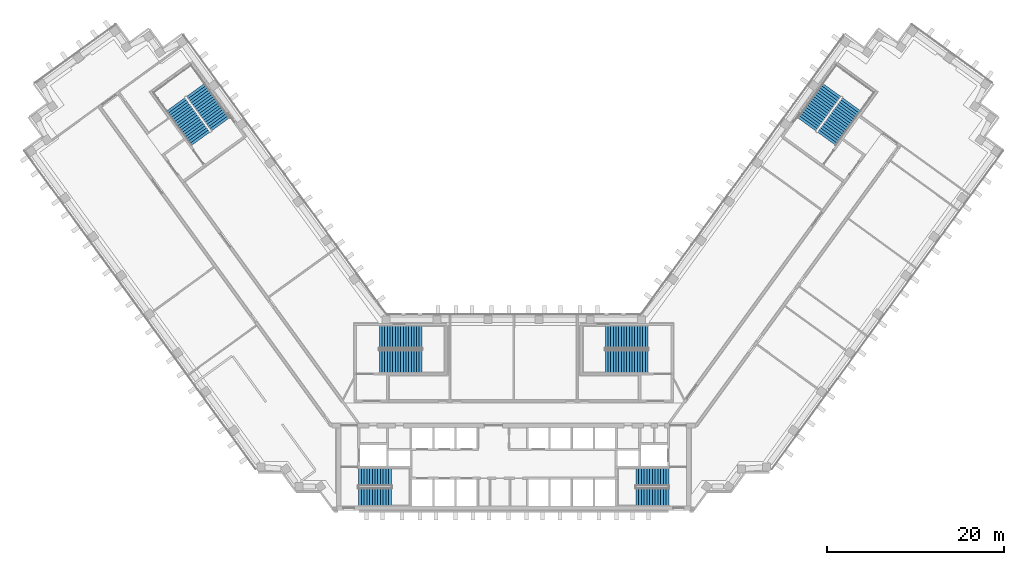
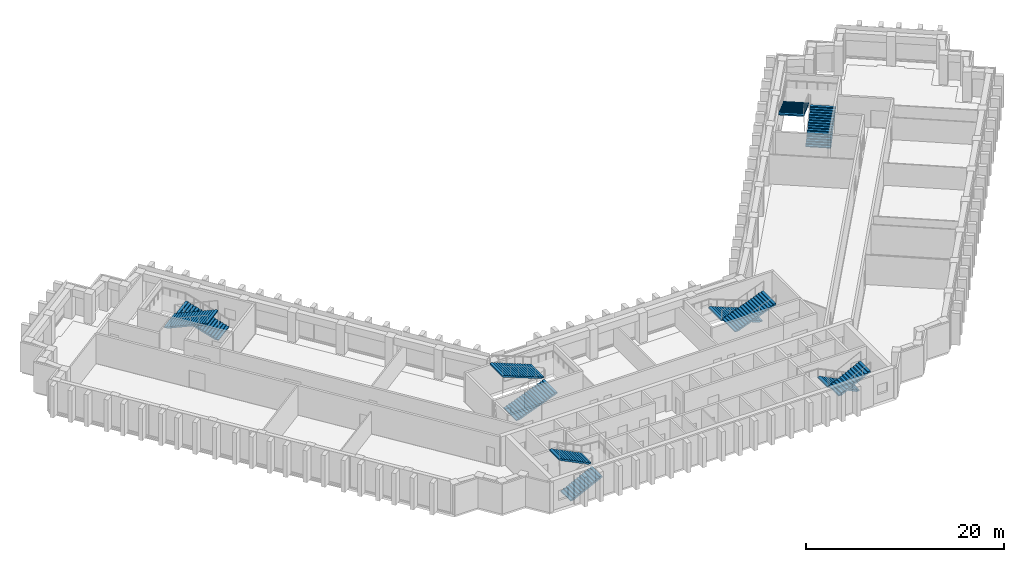
# One storey, part 10 of 13: 12 stair flights, 6 elements without a shape of their own.
"""IFC4 building model written with IfcOpenShell, lengths in metres."""

import ifcopenshell
import ifcopenshell.guid

model = None  # the IFC model being written
_history = None  # IfcOwnerHistory: only IFC2X3 demands one
_inside = {}  # id of a spatial element -> (the spatial element, [elements in it])
_under = {}  # id of a project, library or spatial element -> (it, [spatial elements below it])
_declared = {}  # id of a project -> (the project, [libraries it declares])
_typed = {}  # id of a type object -> (the type object, [elements of that type])
_made_of = {}  # id of a material, layer set ... -> (it, [elements and type objects made of it])


def new_model(schema):
    """Start an empty IFC model of exactly this schema.

    Asked for "IFC4X3", IfcOpenShell would pick the latest addendum, in which some entities
    have other attributes; the version numbers below select the first issue.
    IFC2X3 requires an IfcOwnerHistory on every rooted entity: one is made here for all.
    """
    global model, _history
    if schema == "IFC4X3":
        model = ifcopenshell.file(schema_version=(4, 3, 0, 0))
    else:
        model = ifcopenshell.file(schema=schema)
    _inside.clear()
    _under.clear()
    _declared.clear()
    _typed.clear()
    _made_of.clear()
    _history = None
    if model.schema == "IFC2X3":
        org = make("IfcOrganization", Name="unknown")
        user = make(
            "IfcPersonAndOrganization",
            ThePerson=make("IfcPerson", FamilyName="unknown"),
            TheOrganization=org,
        )
        app = make(
            "IfcApplication",
            ApplicationDeveloper=org,
            Version="unknown",
            ApplicationFullName="unknown",
            ApplicationIdentifier="unknown",
        )
        _history = make(
            "IfcOwnerHistory",
            OwningUser=user,
            OwningApplication=app,
            ChangeAction="ADDED",
            CreationDate=0,
        )
    return model


def make(cls, **values):
    """One entity of the class cls with the attributes given. An attribute that is None is left unset."""
    return model.create_entity(
        cls, **{name: value for name, value in values.items() if value is not None}
    )


def rooted(cls, **values):
    """An entity with a GlobalId (a new one), such as an element, a storey or a relation."""
    return make(cls, GlobalId=ifcopenshell.guid.new(), OwnerHistory=_history, **values)


def si_unit(unit_type, name, prefix=None):
    """IfcSIUnit, for example si_unit("LENGTHUNIT", "METRE", prefix="MILLI")."""
    return make("IfcSIUnit", UnitType=unit_type, Prefix=prefix, Name=name)


def assignment(units):
    """IfcUnitAssignment: the units of a project."""
    return None if units is None else make("IfcUnitAssignment", Units=units)


def point(xyz):
    """IfcCartesianPoint."""
    return None if xyz is None else make("IfcCartesianPoint", Coordinates=xyz)


def direction(xyz):
    """IfcDirection."""
    return None if xyz is None else make("IfcDirection", DirectionRatios=xyz)


def frame(location, z_axis=None, x_axis=None):
    """IfcAxis2Placement3D, a coordinate frame: its origin and axes. An axis left out is left unset."""
    return make(
        "IfcAxis2Placement3D",
        Location=point(location),
        Axis=direction(z_axis),
        RefDirection=direction(x_axis),
    )


def origin():
    """The frame at (0, 0, 0) with its axes left unset."""
    return frame((0.0, 0.0, 0.0))


def place(relative_to, where):
    """IfcLocalPlacement: puts the frame where relative to a parent placement (None: the world)."""
    return make(
        "IfcLocalPlacement", PlacementRelTo=relative_to, RelativePlacement=where
    )


def context(
    kind, dimensions, precision=None, world=None, true_north=None, identifier=None
):
    """IfcGeometricRepresentationContext, for example the 3D "Model" context."""
    return make(
        "IfcGeometricRepresentationContext",
        ContextIdentifier=identifier,
        ContextType=kind,
        CoordinateSpaceDimension=dimensions,
        Precision=precision,
        WorldCoordinateSystem=world,
        TrueNorth=true_north,
    )


def subcontext(parent, identifier, kind, view, scale=None):
    """IfcGeometricRepresentationSubContext, for example "Body" below "Model"."""
    return make(
        "IfcGeometricRepresentationSubContext",
        ContextIdentifier=identifier,
        ContextType=kind,
        ParentContext=parent,
        TargetScale=scale,
        TargetView=view,
    )


def project(units=None, contexts=None):
    """IfcProject with its units and contexts."""
    return rooted(
        "IfcProject",
        Name="project",
        RepresentationContexts=contexts,
        UnitsInContext=assignment(units),
    )


def spatial(cls, under=None, at=None, **own):
    """A site, building, storey or space (cls), placed at a placement, below another one or the project."""
    s = rooted(cls, ObjectPlacement=at, **own)
    if under is not None:
        _under.setdefault(under.id(), (under, []))[1].append(s)
    return s


def polyline(points):
    """IfcPolyline through the points."""
    return make("IfcPolyline", Points=[point(p) for p in points])


def outline(outer, holes=None, kind="AREA"):
    """IfcArbitraryClosedProfileDef: a profile drawn as a closed curve; with holes, ...WithVoids."""
    if holes is None:
        return make("IfcArbitraryClosedProfileDef", ProfileType=kind, OuterCurve=outer)
    return make(
        "IfcArbitraryProfileDefWithVoids",
        ProfileType=kind,
        OuterCurve=outer,
        InnerCurves=holes,
    )


def extrude(swept, where, along, depth):
    """IfcExtrudedAreaSolid: the profile swept, set in the frame where, extruded along a direction by depth."""
    return make(
        "IfcExtrudedAreaSolid",
        SweptArea=swept,
        Position=where,
        ExtrudedDirection=direction(along),
        Depth=depth,
    )


def shape(context_of_items, identifier, shape_type, items):
    """IfcShapeRepresentation: the items that make up one representation, for example the "Body"."""
    return make(
        "IfcShapeRepresentation",
        ContextOfItems=context_of_items,
        RepresentationIdentifier=identifier,
        RepresentationType=shape_type,
        Items=items,
    )


def material(Name=None, Category=None):
    """IfcMaterial."""
    return make("IfcMaterial", Name=Name, Category=Category)


def made_of(thing, what):
    """Note that an element or type object is made of a material, layer set ...; save() writes the relation."""
    if what is not None:
        _made_of.setdefault(what.id(), (what, []))[1].append(thing)
    return thing


def type_object(cls, material=None, **own):
    """A type object (cls), such as IfcWallType, which elements share."""
    return made_of(rooted(cls, **own), material)


def element(
    cls,
    number,
    at=None,
    inside=None,
    cuts=None,
    type_object=None,
    material=None,
    context=None,
    identifier="Body",
    shape_type=None,
    held_by="IfcProductDefinitionShape",
    body=None,
    shapes=None,
    **own,
):
    """One element of the class cls, such as IfcWall. Its Tag is "e" and its number.

    at: its placement. inside: the storey or other place that contains it. cuts: it is an
    opening in that element (IfcRelVoidsElement). A single representation is given by context,
    identifier, shape_type and body (its items); several are given by shapes. held_by: the class
    of the entity that holds the representations. save() writes the other relations.
    """
    e = rooted(cls, Tag="e%d" % number, ObjectPlacement=at, **own)
    if body is not None:
        shapes = [shape(context, identifier, shape_type, body)]
    if shapes is not None:
        e.Representation = make(held_by, Representations=shapes)
    if inside is not None:
        _inside.setdefault(inside.id(), (inside, []))[1].append(e)
    if cuts is not None:
        rooted(
            "IfcRelVoidsElement", RelatingBuildingElement=cuts, RelatedOpeningElement=e
        )
    if type_object is not None:
        _typed.setdefault(type_object.id(), (type_object, []))[1].append(e)
    return made_of(e, material)


def aggregate(whole, parts):
    """IfcRelAggregates: a whole, such as a stair, and the parts it consists of."""
    return rooted("IfcRelAggregates", RelatingObject=whole, RelatedObjects=parts)


def save(model, path):
    """Write the relations noted so far, then the file.

    IfcRelAggregates (storeys below a building ...), IfcRelContainedInSpatialStructure (elements
    in a storey), IfcRelDefinesByType, IfcRelAssociatesMaterial and IfcRelDeclares: one each for
    every whole, place, type object, material and project.
    """
    for whole, parts in _under.values():
        aggregate(whole, parts)
    for where, things in _inside.values():
        rooted(
            "IfcRelContainedInSpatialStructure",
            RelatedElements=things,
            RelatingStructure=where,
        )
    for kind, things in _typed.values():
        rooted("IfcRelDefinesByType", RelatedObjects=things, RelatingType=kind)
    for what, things in _made_of.values():
        rooted("IfcRelAssociatesMaterial", RelatedObjects=things, RelatingMaterial=what)
    for by, libraries in _declared.values():
        rooted("IfcRelDeclares", RelatingContext=by, RelatedDefinitions=libraries)
    model.write(path)


model = new_model("IFC4")

# Units and contexts
model_context = context("Model", 3, precision=1e-05, world=origin(), true_north=direction((0.0, 1.0)))
body_context = subcontext(model_context, "Body", "Model", "MODEL_VIEW")
ifc_project = project(units=[si_unit("LENGTHUNIT", "METRE"), si_unit("AREAUNIT", "SQUARE_METRE"), si_unit("VOLUMEUNIT", "CUBIC_METRE"), si_unit("PLANEANGLEUNIT", "RADIAN"), si_unit("MASSUNIT", "GRAM", prefix="KILO")], contexts=[model_context])

# Site, building, storey
site_placement = place(None, origin())
site = spatial("IfcSite", under=ifc_project, at=site_placement, CompositionType="ELEMENT")
building_placement = place(site_placement, origin())
building = spatial("IfcBuilding", under=site, at=building_placement, Name="Quipu Civic Tower", CompositionType="ELEMENT")
storey_placement = place(building_placement, frame((0.0, 0.0, 67.0)))
storey = spatial("IfcBuildingStorey", under=building, at=storey_placement, Name="L15", CompositionType="ELEMENT", Elevation=67.0)

# Stair, stair flights
ifc_material_1 = material(Name="Concrete C40/50", Category="concrete")
stair_type_1 = type_object("IfcStairType", Name="Half turn stair 2000", PredefinedType="HALF_TURN_STAIR", material=ifc_material_1)
stair_1_placement = place(storey_placement, origin())
stair_1 = element("IfcStair", 1, at=stair_1_placement, inside=storey, type_object=stair_type_1, Name="Exit stair 1", PredefinedType="HALF_TURN_STAIR")
ifc_material_2 = material(Name="Concrete C40/50", Category="concrete")
stair_flight_type_1 = type_object("IfcStairFlightType", Name="Stair flight 2000", PredefinedType="STRAIGHT", material=ifc_material_2)
stair_flight_1_placement = place(storey_placement, frame((-17.5, -9.5, 0.0), z_axis=(0.0, 0.0, 1.0), x_axis=(1.0, 0.0, 0.0)))
stair_flight_1 = element("IfcStairFlight", 2, at=stair_flight_1_placement, type_object=stair_flight_type_1, Name="ST-1 flight 1", NumberOfRisers=13, NumberOfTreads=12, PredefinedType="STRAIGHT", RiserHeight=0.153846154, TreadLength=0.31, context=body_context, shape_type="SweptSolid", body=[
    extrude(outline(polyline([(0.0, 0.0), (0.0, 0.15380859375), (0.31005859375, 0.15380859375), (0.31005859375, 0.3076171875), (0.6201171875, 0.3076171875), (0.6201171875, 0.46142578125), (0.929931640625, 0.46142578125), (0.929931640625, 0.615478515625), (1.239990234375, 0.615478515625), (1.239990234375, 0.769287109375), (1.550048828125, 0.769287109375), (1.550048828125, 0.923095703125), (1.860107421875, 0.923095703125), (1.860107421875, 1.076904296875), (2.169921875, 1.076904296875), (2.169921875, 1.230712890625), (2.47998046875, 1.230712890625), (2.47998046875, 1.384521484375), (2.7900390625, 1.384521484375), (2.7900390625, 1.53857421875), (3.10009765625, 1.53857421875), (3.10009765625, 1.6923828125), (3.409912109375, 1.6923828125), (3.409912109375, 1.84619140625), (3.719970703125, 1.84619140625), (3.719970703125, 2.0), (3.719970703125, 1.6787109375), (0.337158203125, 0.0), (0.0, 0.0)])), frame((0.0, 1.0, 0.0), z_axis=(0.0, -1.0, 0.0), x_axis=(1.0, 0.0, 0.0)), (0.0, 0.0, 1.0), 2.0),
])
stair_flight_2_placement = place(storey_placement, frame((-13.780029296875, -7.25, 2.0), z_axis=(0.0, 0.0, 1.0), x_axis=(-1.0, 0.0, 0.0)))
stair_flight_2 = element("IfcStairFlight", 3, at=stair_flight_2_placement, type_object=stair_flight_type_1, Name="ST-1 flight 2", NumberOfRisers=13, NumberOfTreads=12, PredefinedType="STRAIGHT", RiserHeight=0.153846154, TreadLength=0.31, context=body_context, shape_type="SweptSolid", body=[
    extrude(outline(polyline([(0.0, 0.0), (0.0, 0.15380859375), (0.31005859375, 0.15380859375), (0.31005859375, 0.3076171875), (0.6201171875, 0.3076171875), (0.6201171875, 0.46142578125), (0.929931640625, 0.46142578125), (0.929931640625, 0.615478515625), (1.239990234375, 0.615478515625), (1.239990234375, 0.769287109375), (1.550048828125, 0.769287109375), (1.550048828125, 0.923095703125), (1.860107421875, 0.923095703125), (1.860107421875, 1.076904296875), (2.169921875, 1.076904296875), (2.169921875, 1.230712890625), (2.47998046875, 1.230712890625), (2.47998046875, 1.384521484375), (2.7900390625, 1.384521484375), (2.7900390625, 1.53857421875), (3.10009765625, 1.53857421875), (3.10009765625, 1.6923828125), (3.409912109375, 1.6923828125), (3.409912109375, 1.84619140625), (3.719970703125, 1.84619140625), (3.719970703125, 2.0), (3.719970703125, 1.6787109375), (0.337158203125, 0.0), (0.0, 0.0)])), frame((0.0, 1.0, 0.0), z_axis=(0.0, -1.0, 0.0), x_axis=(1.0, 0.0, 0.0)), (0.0, 0.0, 1.0), 2.0),
])
aggregate(stair_1, [stair_flight_1, stair_flight_2])

stair_2_placement = place(storey_placement, origin())
stair_2 = element("IfcStair", 4, at=stair_2_placement, inside=storey, type_object=stair_type_1, Name="Exit stair 2", PredefinedType="HALF_TURN_STAIR")
stair_flight_3_placement = place(storey_placement, frame((17.5, -7.25, 0.0), z_axis=(0.0, 0.0, 1.0), x_axis=(-1.0, 0.0, 0.0)))
stair_flight_3 = element("IfcStairFlight", 5, at=stair_flight_3_placement, type_object=stair_flight_type_1, Name="ST-2 flight 1", NumberOfRisers=13, NumberOfTreads=12, PredefinedType="STRAIGHT", RiserHeight=0.153846154, TreadLength=0.31, context=body_context, shape_type="SweptSolid", body=[
    extrude(outline(polyline([(0.0, 0.0), (0.0, 0.15380859375), (0.31005859375, 0.15380859375), (0.31005859375, 0.3076171875), (0.6201171875, 0.3076171875), (0.6201171875, 0.46142578125), (0.929931640625, 0.46142578125), (0.929931640625, 0.615478515625), (1.239990234375, 0.615478515625), (1.239990234375, 0.769287109375), (1.550048828125, 0.769287109375), (1.550048828125, 0.923095703125), (1.860107421875, 0.923095703125), (1.860107421875, 1.076904296875), (2.169921875, 1.076904296875), (2.169921875, 1.230712890625), (2.47998046875, 1.230712890625), (2.47998046875, 1.384521484375), (2.7900390625, 1.384521484375), (2.7900390625, 1.53857421875), (3.10009765625, 1.53857421875), (3.10009765625, 1.6923828125), (3.409912109375, 1.6923828125), (3.409912109375, 1.84619140625), (3.719970703125, 1.84619140625), (3.719970703125, 2.0), (3.719970703125, 1.6787109375), (0.337158203125, 0.0), (0.0, 0.0)])), frame((0.0, 1.0, 0.0), z_axis=(0.0, -1.0, 0.0), x_axis=(1.0, 0.0, 0.0)), (0.0, 0.0, 1.0), 2.0),
])
stair_flight_4_placement = place(storey_placement, frame((13.780029296875, -9.5, 2.0), z_axis=(0.0, 0.0, 1.0), x_axis=(1.0, 0.0, 0.0)))
stair_flight_4 = element("IfcStairFlight", 6, at=stair_flight_4_placement, type_object=stair_flight_type_1, Name="ST-2 flight 2", NumberOfRisers=13, NumberOfTreads=12, PredefinedType="STRAIGHT", RiserHeight=0.153846154, TreadLength=0.31, context=body_context, shape_type="SweptSolid", body=[
    extrude(outline(polyline([(0.0, 0.0), (0.0, 0.15380859375), (0.31005859375, 0.15380859375), (0.31005859375, 0.3076171875), (0.6201171875, 0.3076171875), (0.6201171875, 0.46142578125), (0.929931640625, 0.46142578125), (0.929931640625, 0.615478515625), (1.239990234375, 0.615478515625), (1.239990234375, 0.769287109375), (1.550048828125, 0.769287109375), (1.550048828125, 0.923095703125), (1.860107421875, 0.923095703125), (1.860107421875, 1.076904296875), (2.169921875, 1.076904296875), (2.169921875, 1.230712890625), (2.47998046875, 1.230712890625), (2.47998046875, 1.384521484375), (2.7900390625, 1.384521484375), (2.7900390625, 1.53857421875), (3.10009765625, 1.53857421875), (3.10009765625, 1.6923828125), (3.409912109375, 1.6923828125), (3.409912109375, 1.84619140625), (3.719970703125, 1.84619140625), (3.719970703125, 2.0), (3.719970703125, 1.6787109375), (0.337158203125, 0.0), (0.0, 0.0)])), frame((0.0, 1.0, 0.0), z_axis=(0.0, -1.0, 0.0), x_axis=(1.0, 0.0, 0.0)), (0.0, 0.0, 1.0), 2.0),
])
aggregate(stair_2, [stair_flight_3, stair_flight_4])

ifc_material_3 = material(Name="Concrete C40/50", Category="concrete")
stair_type_2 = type_object("IfcStairType", Name="Half turn stair 2600", PredefinedType="HALF_TURN_STAIR", material=ifc_material_3)
stair_3_placement = place(storey_placement, origin())
stair_3 = element("IfcStair", 7, at=stair_3_placement, inside=storey, type_object=stair_type_2, Name="Exit stair 3", PredefinedType="HALF_TURN_STAIR")
ifc_material_4 = material(Name="Concrete C40/50", Category="concrete")
stair_flight_type_2 = type_object("IfcStairFlightType", Name="Stair flight 2600", PredefinedType="STRAIGHT", material=ifc_material_4)
stair_flight_5_placement = place(storey_placement, frame((-15.14990234375, 5.800048828125, 0.0), z_axis=(0.0, 0.0, 1.0), x_axis=(1.0, 0.0, 0.0)))
stair_flight_5 = element("IfcStairFlight", 8, at=stair_flight_5_placement, type_object=stair_flight_type_2, Name="ST-3 flight 1", NumberOfRisers=17, NumberOfTreads=16, PredefinedType="STRAIGHT", RiserHeight=0.117647059, TreadLength=0.3, context=body_context, shape_type="SweptSolid", body=[
    extrude(outline(polyline([(0.0, 0.0), (0.0, 0.11767578125), (0.300048828125, 0.11767578125), (0.300048828125, 0.2353515625), (0.60009765625, 0.2353515625), (0.60009765625, 0.35302734375), (0.89990234375, 0.35302734375), (0.89990234375, 0.470703125), (1.199951171875, 0.470703125), (1.199951171875, 0.588134765625), (1.5, 0.588134765625), (1.5, 0.705810546875), (1.800048828125, 0.705810546875), (1.800048828125, 0.823486328125), (2.10009765625, 0.823486328125), (2.10009765625, 0.941162109375), (2.39990234375, 0.941162109375), (2.39990234375, 1.058837890625), (2.699951171875, 1.058837890625), (2.699951171875, 1.176513671875), (3.0, 1.176513671875), (3.0, 1.294189453125), (3.300048828125, 1.294189453125), (3.300048828125, 1.411865234375), (3.60009765625, 1.411865234375), (3.60009765625, 1.529296875), (3.89990234375, 1.529296875), (3.89990234375, 1.64697265625), (4.199951171875, 1.64697265625), (4.199951171875, 1.7646484375), (4.5, 1.7646484375), (4.5, 1.88232421875), (4.800048828125, 1.88232421875), (4.800048828125, 2.0), (4.800048828125, 1.721435546875), (0.41064453125, 0.0), (0.0, 0.0)])), frame((0.0, 1.300048828125, 0.0), z_axis=(0.0, -1.0, 0.0), x_axis=(1.0, 0.0, 0.0)), (0.0, 0.0, 1.0), 2.60009765625),
])
stair_flight_6_placement = place(storey_placement, frame((-10.35009765625, 8.550048828125, 2.0), z_axis=(0.0, 0.0, 1.0), x_axis=(-1.0, 0.0, 0.0)))
stair_flight_6 = element("IfcStairFlight", 9, at=stair_flight_6_placement, type_object=stair_flight_type_2, Name="ST-3 flight 2", NumberOfRisers=17, NumberOfTreads=16, PredefinedType="STRAIGHT", RiserHeight=0.117647059, TreadLength=0.3, context=body_context, shape_type="SweptSolid", body=[
    extrude(outline(polyline([(0.0, 0.0), (0.0, 0.11767578125), (0.300048828125, 0.11767578125), (0.300048828125, 0.2353515625), (0.60009765625, 0.2353515625), (0.60009765625, 0.35302734375), (0.89990234375, 0.35302734375), (0.89990234375, 0.470703125), (1.199951171875, 0.470703125), (1.199951171875, 0.588134765625), (1.5, 0.588134765625), (1.5, 0.705810546875), (1.800048828125, 0.705810546875), (1.800048828125, 0.823486328125), (2.10009765625, 0.823486328125), (2.10009765625, 0.941162109375), (2.39990234375, 0.941162109375), (2.39990234375, 1.058837890625), (2.699951171875, 1.058837890625), (2.699951171875, 1.176513671875), (3.0, 1.176513671875), (3.0, 1.294189453125), (3.300048828125, 1.294189453125), (3.300048828125, 1.411865234375), (3.60009765625, 1.411865234375), (3.60009765625, 1.529296875), (3.89990234375, 1.529296875), (3.89990234375, 1.64697265625), (4.199951171875, 1.64697265625), (4.199951171875, 1.7646484375), (4.5, 1.7646484375), (4.5, 1.88232421875), (4.800048828125, 1.88232421875), (4.800048828125, 2.0), (4.800048828125, 1.721435546875), (0.41064453125, 0.0), (0.0, 0.0)])), frame((0.0, 1.300048828125, 0.0), z_axis=(0.0, -1.0, 0.0), x_axis=(1.0, 0.0, 0.0)), (0.0, 0.0, 1.0), 2.60009765625),
])
aggregate(stair_3, [stair_flight_5, stair_flight_6])

stair_4_placement = place(storey_placement, origin())
stair_4 = element("IfcStair", 10, at=stair_4_placement, inside=storey, type_object=stair_type_2, Name="Exit stair 4", PredefinedType="HALF_TURN_STAIR")
stair_flight_7_placement = place(storey_placement, frame((15.14990234375, 8.550048828125, 0.0), z_axis=(0.0, 0.0, 1.0), x_axis=(-1.0, 0.0, 0.0)))
stair_flight_7 = element("IfcStairFlight", 11, at=stair_flight_7_placement, type_object=stair_flight_type_2, Name="ST-4 flight 1", NumberOfRisers=17, NumberOfTreads=16, PredefinedType="STRAIGHT", RiserHeight=0.117647059, TreadLength=0.3, context=body_context, shape_type="SweptSolid", body=[
    extrude(outline(polyline([(0.0, 0.0), (0.0, 0.11767578125), (0.300048828125, 0.11767578125), (0.300048828125, 0.2353515625), (0.60009765625, 0.2353515625), (0.60009765625, 0.35302734375), (0.89990234375, 0.35302734375), (0.89990234375, 0.470703125), (1.199951171875, 0.470703125), (1.199951171875, 0.588134765625), (1.5, 0.588134765625), (1.5, 0.705810546875), (1.800048828125, 0.705810546875), (1.800048828125, 0.823486328125), (2.10009765625, 0.823486328125), (2.10009765625, 0.941162109375), (2.39990234375, 0.941162109375), (2.39990234375, 1.058837890625), (2.699951171875, 1.058837890625), (2.699951171875, 1.176513671875), (3.0, 1.176513671875), (3.0, 1.294189453125), (3.300048828125, 1.294189453125), (3.300048828125, 1.411865234375), (3.60009765625, 1.411865234375), (3.60009765625, 1.529296875), (3.89990234375, 1.529296875), (3.89990234375, 1.64697265625), (4.199951171875, 1.64697265625), (4.199951171875, 1.7646484375), (4.5, 1.7646484375), (4.5, 1.88232421875), (4.800048828125, 1.88232421875), (4.800048828125, 2.0), (4.800048828125, 1.721435546875), (0.41064453125, 0.0), (0.0, 0.0)])), frame((0.0, 1.300048828125, 0.0), z_axis=(0.0, -1.0, 0.0), x_axis=(1.0, 0.0, 0.0)), (0.0, 0.0, 1.0), 2.60009765625),
])
stair_flight_8_placement = place(storey_placement, frame((10.35009765625, 5.800048828125, 2.0), z_axis=(0.0, 0.0, 1.0), x_axis=(1.0, 0.0, 0.0)))
stair_flight_8 = element("IfcStairFlight", 12, at=stair_flight_8_placement, type_object=stair_flight_type_2, Name="ST-4 flight 2", NumberOfRisers=17, NumberOfTreads=16, PredefinedType="STRAIGHT", RiserHeight=0.117647059, TreadLength=0.3, context=body_context, shape_type="SweptSolid", body=[
    extrude(outline(polyline([(0.0, 0.0), (0.0, 0.11767578125), (0.300048828125, 0.11767578125), (0.300048828125, 0.2353515625), (0.60009765625, 0.2353515625), (0.60009765625, 0.35302734375), (0.89990234375, 0.35302734375), (0.89990234375, 0.470703125), (1.199951171875, 0.470703125), (1.199951171875, 0.588134765625), (1.5, 0.588134765625), (1.5, 0.705810546875), (1.800048828125, 0.705810546875), (1.800048828125, 0.823486328125), (2.10009765625, 0.823486328125), (2.10009765625, 0.941162109375), (2.39990234375, 0.941162109375), (2.39990234375, 1.058837890625), (2.699951171875, 1.058837890625), (2.699951171875, 1.176513671875), (3.0, 1.176513671875), (3.0, 1.294189453125), (3.300048828125, 1.294189453125), (3.300048828125, 1.411865234375), (3.60009765625, 1.411865234375), (3.60009765625, 1.529296875), (3.89990234375, 1.529296875), (3.89990234375, 1.64697265625), (4.199951171875, 1.64697265625), (4.199951171875, 1.7646484375), (4.5, 1.7646484375), (4.5, 1.88232421875), (4.800048828125, 1.88232421875), (4.800048828125, 2.0), (4.800048828125, 1.721435546875), (0.41064453125, 0.0), (0.0, 0.0)])), frame((0.0, 1.300048828125, 0.0), z_axis=(0.0, -1.0, 0.0), x_axis=(1.0, 0.0, 0.0)), (0.0, 0.0, 1.0), 2.60009765625),
])
aggregate(stair_4, [stair_flight_7, stair_flight_8])

stair_5_placement = place(storey_placement, origin())
stair_5 = element("IfcStair", 13, at=stair_5_placement, inside=storey, type_object=stair_type_2, Name="Exit stair 6", PredefinedType="HALF_TURN_STAIR")
stair_flight_9_placement = place(storey_placement, frame((-33.067626953125, 32.5322265625, 0.0), z_axis=(0.0, 0.0, 1.0), x_axis=(-0.587785252292, 0.809016994375, 0.0)))
stair_flight_9 = element("IfcStairFlight", 14, at=stair_flight_9_placement, type_object=stair_flight_type_2, Name="ST-6 flight 1", NumberOfRisers=17, NumberOfTreads=16, PredefinedType="STRAIGHT", RiserHeight=0.117647059, TreadLength=0.3, context=body_context, shape_type="SweptSolid", body=[
    extrude(outline(polyline([(0.0, 0.0), (0.0, 0.11767578125), (0.300048828125, 0.11767578125), (0.300048828125, 0.2353515625), (0.60009765625, 0.2353515625), (0.60009765625, 0.35302734375), (0.89990234375, 0.35302734375), (0.89990234375, 0.470703125), (1.199951171875, 0.470703125), (1.199951171875, 0.588134765625), (1.5, 0.588134765625), (1.5, 0.705810546875), (1.800048828125, 0.705810546875), (1.800048828125, 0.823486328125), (2.10009765625, 0.823486328125), (2.10009765625, 0.941162109375), (2.39990234375, 0.941162109375), (2.39990234375, 1.058837890625), (2.699951171875, 1.058837890625), (2.699951171875, 1.176513671875), (3.0, 1.176513671875), (3.0, 1.294189453125), (3.300048828125, 1.294189453125), (3.300048828125, 1.411865234375), (3.60009765625, 1.411865234375), (3.60009765625, 1.529296875), (3.89990234375, 1.529296875), (3.89990234375, 1.64697265625), (4.199951171875, 1.64697265625), (4.199951171875, 1.7646484375), (4.5, 1.7646484375), (4.5, 1.88232421875), (4.800048828125, 1.88232421875), (4.800048828125, 2.0), (4.800048828125, 1.721435546875), (0.41064453125, 0.0), (0.0, 0.0)])), frame((0.0, 1.300048828125, 0.0), z_axis=(0.0, -1.0, 0.0), x_axis=(1.0, 0.0, 0.0)), (0.0, 0.0, 1.0), 2.60009765625),
])
stair_flight_10_placement = place(storey_placement, frame((-38.11376953125, 34.799072265625, 2.0), z_axis=(0.0, 0.0, 1.0), x_axis=(0.587785252292, -0.809016994375, 0.0)))
stair_flight_10 = element("IfcStairFlight", 15, at=stair_flight_10_placement, type_object=stair_flight_type_2, Name="ST-6 flight 2", NumberOfRisers=17, NumberOfTreads=16, PredefinedType="STRAIGHT", RiserHeight=0.117647059, TreadLength=0.3, context=body_context, shape_type="SweptSolid", body=[
    extrude(outline(polyline([(0.0, 0.0), (0.0, 0.11767578125), (0.300048828125, 0.11767578125), (0.300048828125, 0.2353515625), (0.60009765625, 0.2353515625), (0.60009765625, 0.35302734375), (0.89990234375, 0.35302734375), (0.89990234375, 0.470703125), (1.199951171875, 0.470703125), (1.199951171875, 0.588134765625), (1.5, 0.588134765625), (1.5, 0.705810546875), (1.800048828125, 0.705810546875), (1.800048828125, 0.823486328125), (2.10009765625, 0.823486328125), (2.10009765625, 0.941162109375), (2.39990234375, 0.941162109375), (2.39990234375, 1.058837890625), (2.699951171875, 1.058837890625), (2.699951171875, 1.176513671875), (3.0, 1.176513671875), (3.0, 1.294189453125), (3.300048828125, 1.294189453125), (3.300048828125, 1.411865234375), (3.60009765625, 1.411865234375), (3.60009765625, 1.529296875), (3.89990234375, 1.529296875), (3.89990234375, 1.64697265625), (4.199951171875, 1.64697265625), (4.199951171875, 1.7646484375), (4.5, 1.7646484375), (4.5, 1.88232421875), (4.800048828125, 1.88232421875), (4.800048828125, 2.0), (4.800048828125, 1.721435546875), (0.41064453125, 0.0), (0.0, 0.0)])), frame((0.0, 1.300048828125, 0.0), z_axis=(0.0, -1.0, 0.0), x_axis=(1.0, 0.0, 0.0)), (0.0, 0.0, 1.0), 2.60009765625),
])
aggregate(stair_5, [stair_flight_9, stair_flight_10])

stair_6_placement = place(storey_placement, origin())
stair_6 = element("IfcStair", 16, at=stair_6_placement, inside=storey, type_object=stair_type_2, Name="Exit stair 7", PredefinedType="HALF_TURN_STAIR")
stair_flight_11_placement = place(storey_placement, frame((35.29248046875, 30.915771484375, 0.0), z_axis=(0.0, 0.0, 1.0), x_axis=(0.587785252292, 0.809016994375, 0.0)))
stair_flight_11 = element("IfcStairFlight", 17, at=stair_flight_11_placement, type_object=stair_flight_type_2, Name="ST-7 flight 1", NumberOfRisers=17, NumberOfTreads=16, PredefinedType="STRAIGHT", RiserHeight=0.117647059, TreadLength=0.3, context=body_context, shape_type="SweptSolid", body=[
    extrude(outline(polyline([(0.0, 0.0), (0.0, 0.11767578125), (0.300048828125, 0.11767578125), (0.300048828125, 0.2353515625), (0.60009765625, 0.2353515625), (0.60009765625, 0.35302734375), (0.89990234375, 0.35302734375), (0.89990234375, 0.470703125), (1.199951171875, 0.470703125), (1.199951171875, 0.588134765625), (1.5, 0.588134765625), (1.5, 0.705810546875), (1.800048828125, 0.705810546875), (1.800048828125, 0.823486328125), (2.10009765625, 0.823486328125), (2.10009765625, 0.941162109375), (2.39990234375, 0.941162109375), (2.39990234375, 1.058837890625), (2.699951171875, 1.058837890625), (2.699951171875, 1.176513671875), (3.0, 1.176513671875), (3.0, 1.294189453125), (3.300048828125, 1.294189453125), (3.300048828125, 1.411865234375), (3.60009765625, 1.411865234375), (3.60009765625, 1.529296875), (3.89990234375, 1.529296875), (3.89990234375, 1.64697265625), (4.199951171875, 1.64697265625), (4.199951171875, 1.7646484375), (4.5, 1.7646484375), (4.5, 1.88232421875), (4.800048828125, 1.88232421875), (4.800048828125, 2.0), (4.800048828125, 1.721435546875), (0.41064453125, 0.0), (0.0, 0.0)])), frame((0.0, 1.300048828125, 0.0), z_axis=(0.0, -1.0, 0.0), x_axis=(1.0, 0.0, 0.0)), (0.0, 0.0, 1.0), 2.60009765625),
])
stair_flight_12_placement = place(storey_placement, frame((35.888916015625, 36.41552734375, 2.0), z_axis=(0.0, 0.0, 1.0), x_axis=(-0.587785252292, -0.809016994375, 0.0)))
stair_flight_12 = element("IfcStairFlight", 18, at=stair_flight_12_placement, type_object=stair_flight_type_2, Name="ST-7 flight 2", NumberOfRisers=17, NumberOfTreads=16, PredefinedType="STRAIGHT", RiserHeight=0.117647059, TreadLength=0.3, context=body_context, shape_type="SweptSolid", body=[
    extrude(outline(polyline([(0.0, 0.0), (0.0, 0.11767578125), (0.300048828125, 0.11767578125), (0.300048828125, 0.2353515625), (0.60009765625, 0.2353515625), (0.60009765625, 0.35302734375), (0.89990234375, 0.35302734375), (0.89990234375, 0.470703125), (1.199951171875, 0.470703125), (1.199951171875, 0.588134765625), (1.5, 0.588134765625), (1.5, 0.705810546875), (1.800048828125, 0.705810546875), (1.800048828125, 0.823486328125), (2.10009765625, 0.823486328125), (2.10009765625, 0.941162109375), (2.39990234375, 0.941162109375), (2.39990234375, 1.058837890625), (2.699951171875, 1.058837890625), (2.699951171875, 1.176513671875), (3.0, 1.176513671875), (3.0, 1.294189453125), (3.300048828125, 1.294189453125), (3.300048828125, 1.411865234375), (3.60009765625, 1.411865234375), (3.60009765625, 1.529296875), (3.89990234375, 1.529296875), (3.89990234375, 1.64697265625), (4.199951171875, 1.64697265625), (4.199951171875, 1.7646484375), (4.5, 1.7646484375), (4.5, 1.88232421875), (4.800048828125, 1.88232421875), (4.800048828125, 2.0), (4.800048828125, 1.721435546875), (0.41064453125, 0.0), (0.0, 0.0)])), frame((0.0, 1.300048828125, 0.0), z_axis=(0.0, -1.0, 0.0), x_axis=(1.0, 0.0, 0.0)), (0.0, 0.0, 1.0), 2.60009765625),
])
aggregate(stair_6, [stair_flight_11, stair_flight_12])

save(model, "model.ifc")
